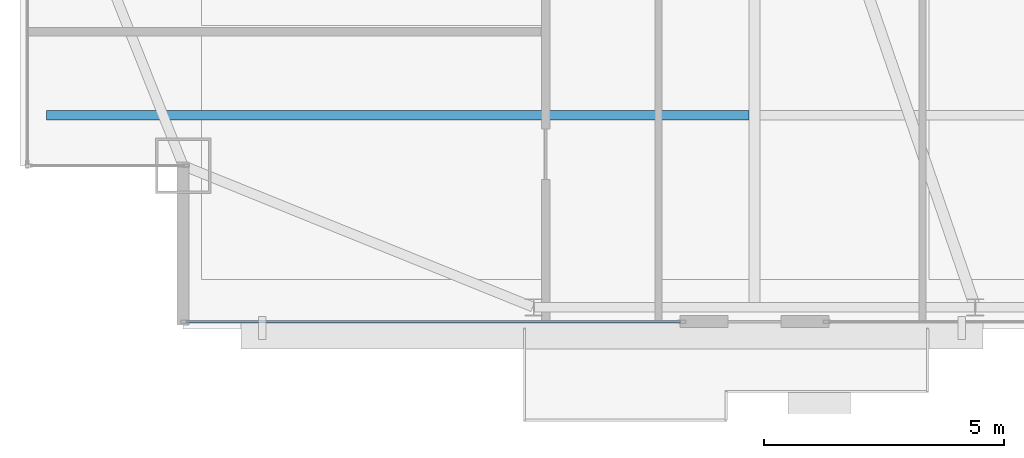
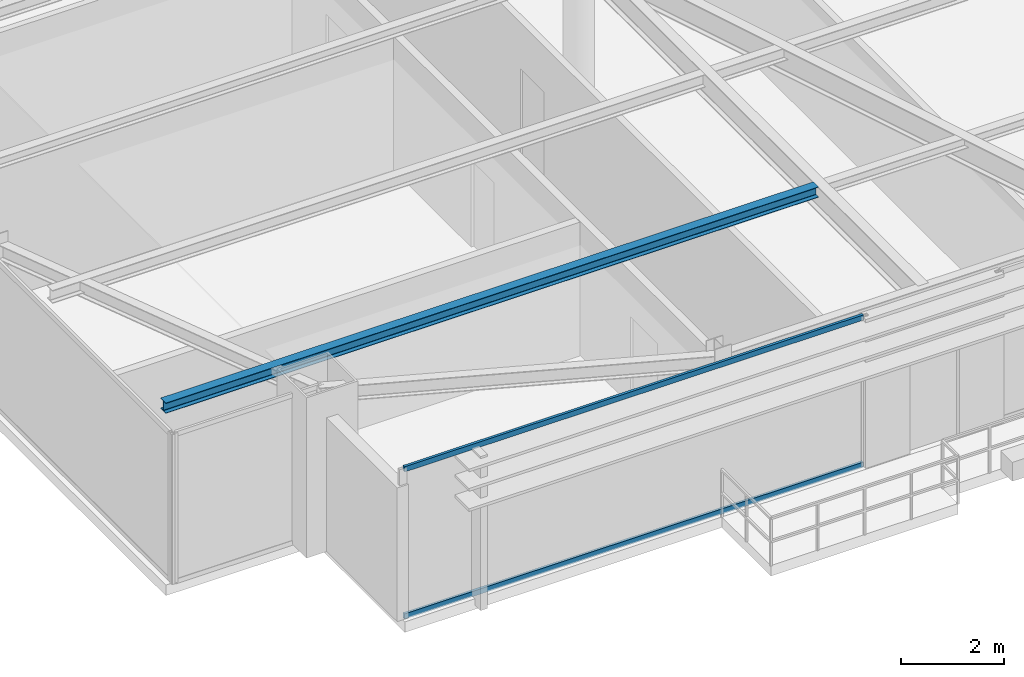
# One storey, part 5 of 30: 2 members, 1 beam, 1 element without a shape of its own.
"""IFC4 building model written with IfcOpenShell, lengths in metres."""

from ifc_helpers import new_model, si_unit, direction, frame, origin, origin_2d, place, context, subcontext, project, spatial, hollow_rectangle, i_section, extrude, source, transform, mapped, material, layer, layer_set, material_profile, profile_set, type_object, type_shapes, element, aggregate, save


model = new_model("IFC4")

# Units and contexts
model_context = context("Model", 3, precision=1e-05, world=origin(), true_north=direction((0.0, 1.0)))
body_context = subcontext(model_context, "Body", "Model", "MODEL_VIEW")
ifc_project = project(units=[si_unit("LENGTHUNIT", "METRE"), si_unit("AREAUNIT", "SQUARE_METRE"), si_unit("VOLUMEUNIT", "CUBIC_METRE"), si_unit("PLANEANGLEUNIT", "RADIAN"), si_unit("MASSUNIT", "GRAM", prefix="KILO")], contexts=[model_context])

# Site, building, storey
site_placement = place(None, origin())
site = spatial("IfcSite", under=ifc_project, at=site_placement, CompositionType="ELEMENT")
building_placement = place(site_placement, origin())
building = spatial("IfcBuilding", under=site, at=building_placement, Name="Varnel Quay Broadcast Tower", CompositionType="ELEMENT")
storey_placement = place(building_placement, frame((0.0, 0.0, 207.39990234375)))
storey = spatial("IfcBuildingStorey", under=building, at=storey_placement, Name="L51", CompositionType="ELEMENT", Elevation=207.39990234375)

# Beam
ifc_material_1 = material(Name="Structural Steel CSA G40.21 350W", Category="steel")
ifc_material_profile_1 = material_profile(ifc_material_1, i_section(OverallWidth=0.201904296875, OverallDepth=0.2470703125, WebThickness=0.00732421875, FlangeThickness=0.010986328125, FilletRadius=0.010986328125, at=origin_2d()), Name="W250X49")
ifc_profile_set_1 = profile_set([ifc_material_profile_1], Name="Structural Steel CSA G40.21 350W")
beam_type = type_object("IfcBeamType", Name="Beam_W250X49", PredefinedType="JOIST", material=ifc_profile_set_1)
shared_shape_1 = source(origin(), body_context, "Body", "SweptSolid", [
    extrude(i_section(OverallWidth=0.201904296875, OverallDepth=0.2470703125, WebThickness=0.00732421875, FlangeThickness=0.010986328125, FilletRadius=0.010986328125, at=origin_2d()), origin(), (0.0, 0.0, 1.0), 14.642333984375),
])
type_shapes(beam_type, [shared_shape_1])
beam_placement = place(storey_placement, frame((10.047607421875, 14.64990234375, 3.426513671875), z_axis=(1.0, 0.0, 0.0), x_axis=(0.0, 1.0, 0.0)))
element("IfcBeam", 1, at=beam_placement, inside=storey, type_object=beam_type, Name="L51 West Floor Joist 1", PredefinedType="JOIST", context=body_context, shape_type="MappedRepresentation", body=[
    mapped(shared_shape_1, transform((0.0, 0.0, 0.0), x_axis=(1.0, 0.0, 0.0), y_axis=(0.0, 1.0, 0.0), z_axis=(0.0, 0.0, 1.0), scale=1.0)),
])

# Curtain wall, members
ifc_material_2 = material(Name="Anodised Bronze Aluminium 6063-T6", Category="aluminium")
ifc_layer = layer(ifc_material_2, 0.18994140625, Name="Anodised Bronze Aluminium 6063-T6")
ifc_layer_set = layer_set([ifc_layer], Name="Anodised Bronze Aluminium 6063-T6")
curtain_wall_type = type_object("IfcCurtainWallType", Name="CW_UpperTower", PredefinedType="NOTDEFINED", material=ifc_layer_set)
curtain_wall_placement = place(storey_placement, origin())
curtain_wall = element("IfcCurtainWall", 2, at=curtain_wall_placement, inside=storey, type_object=curtain_wall_type, Name="L51 South Unitised Curtain Wall 1", PredefinedType="NOTDEFINED")
ifc_material_profile_2 = material_profile(ifc_material_2, hollow_rectangle(XDim=0.06005859375, YDim=0.125, WallThickness=0.0029296875, at=origin_2d()), Name="ALU60X125X3")
ifc_profile_set_2 = profile_set([ifc_material_profile_2], Name="Anodised Bronze Aluminium 6063-T6")
member_type = type_object("IfcMemberType", Name="Tran_CWS-03", PredefinedType="USERDEFINED", material=ifc_profile_set_2)
shared_shape_2 = source(origin(), body_context, "Body", "SweptSolid", [
    extrude(hollow_rectangle(XDim=0.06005859375, YDim=0.125, WallThickness=0.0029296875, at=origin_2d()), origin(), (0.0, 0.0, 1.0), 10.289794921875),
])
type_shapes(member_type, [shared_shape_2])
member_1_placement = place(storey_placement, frame((12.965087890625, 10.35009765625, 0.030029296875), z_axis=(1.0, 0.0, 0.0), x_axis=(0.0, 1.0, 0.0)))
member_1 = element("IfcMember", 3, at=member_1_placement, type_object=member_type, Name="CWS-03 transom 1.1", ObjectType="TRANSOM", PredefinedType="USERDEFINED", context=body_context, shape_type="MappedRepresentation", body=[
    mapped(shared_shape_2, transform((0.0, 0.0, 0.0), x_axis=(1.0, 0.0, 0.0), y_axis=(0.0, 1.0, 0.0), z_axis=(0.0, 0.0, 1.0), scale=1.0)),
])
member_2_placement = place(storey_placement, frame((12.965087890625, 10.35009765625, 3.52001953125), z_axis=(1.0, 0.0, 0.0), x_axis=(0.0, 1.0, 0.0)))
member_2 = element("IfcMember", 4, at=member_2_placement, type_object=member_type, Name="CWS-03 transom 1.2", ObjectType="TRANSOM", PredefinedType="USERDEFINED", context=body_context, shape_type="MappedRepresentation", body=[
    mapped(shared_shape_2, transform((0.0, 0.0, 0.0), x_axis=(1.0, 0.0, 0.0), y_axis=(0.0, 1.0, 0.0), z_axis=(0.0, 0.0, 1.0), scale=1.0)),
])
aggregate(curtain_wall, [member_1, member_2])

save(model, "model.ifc")
